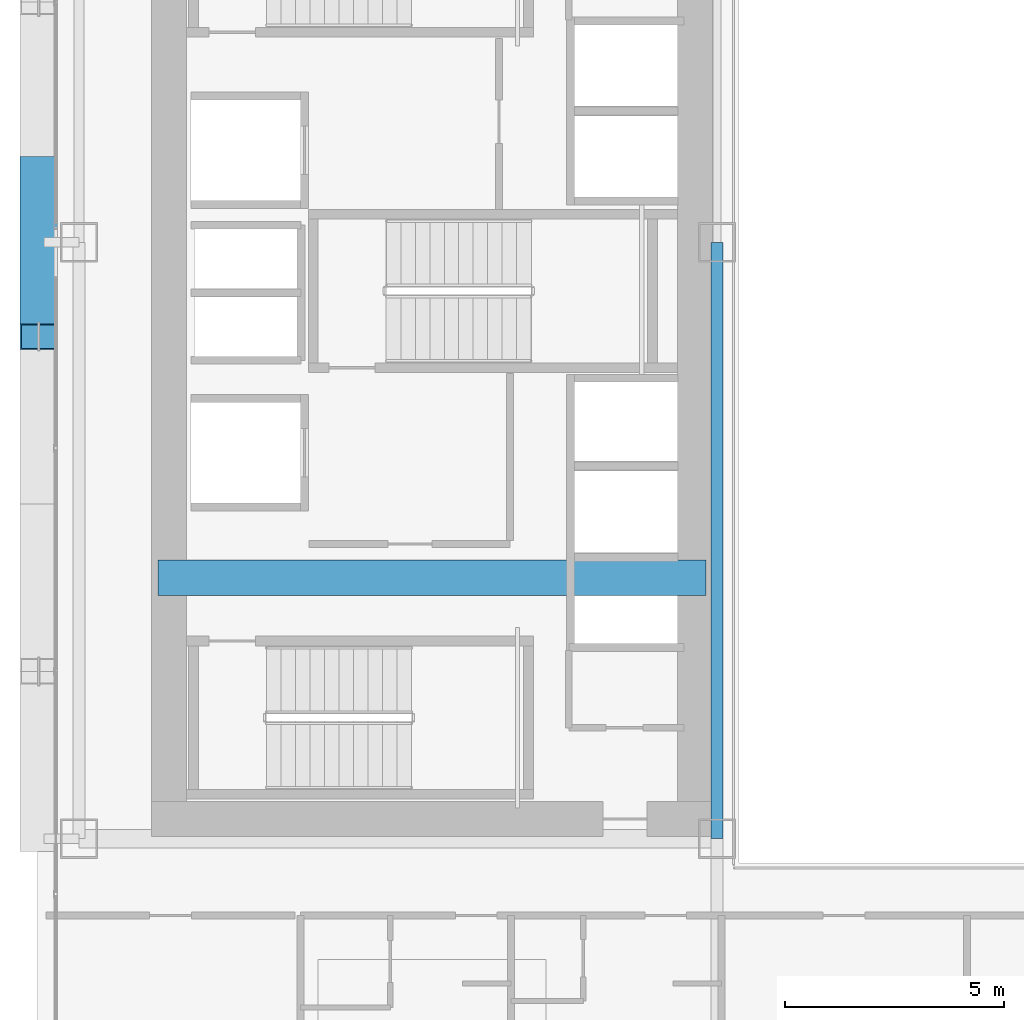
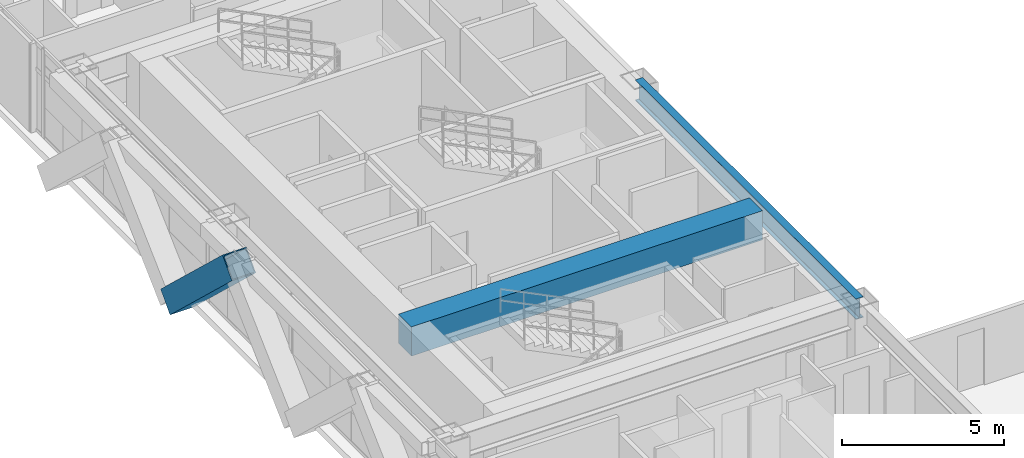
# One storey, part 7 of 35: 2 beams, 1 member.
"""IFC4 building model written with IfcOpenShell, lengths in metres."""

from ifc_helpers import new_model, si_unit, direction, frame, origin, origin_2d, place, context, subcontext, project, spatial, rectangle, hollow_rectangle, i_section, extrude, source, transform, mapped, material, material_profile, profile_set, type_object, element, save


model = new_model("IFC4")

# Units and contexts
model_context = context("Model", 3, precision=1e-05, world=origin(), true_north=direction((0.0, 1.0)))
body_context = subcontext(model_context, "Body", "Model", "MODEL_VIEW")
ifc_project = project(units=[si_unit("LENGTHUNIT", "METRE"), si_unit("AREAUNIT", "SQUARE_METRE"), si_unit("VOLUMEUNIT", "CUBIC_METRE"), si_unit("PLANEANGLEUNIT", "RADIAN"), si_unit("MASSUNIT", "GRAM", prefix="KILO")], contexts=[model_context])

# Site, building, storey
site_placement = place(None, origin())
site = spatial("IfcSite", under=ifc_project, at=site_placement, CompositionType="ELEMENT")
building_placement = place(site_placement, origin())
building = spatial("IfcBuilding", under=site, at=building_placement, Name="Ocotamira Hotel", CompositionType="ELEMENT")
storey_placement = place(building_placement, frame((0.0, 0.0, 70.800048828125)))
storey = spatial("IfcBuildingStorey", under=building, at=storey_placement, Name="L17", CompositionType="ELEMENT", Elevation=70.800048828125)

# Beams
ifc_material_1 = material(Name="Concrete C60/75", Category="concrete")
ifc_material_profile_1 = material_profile(ifc_material_1, rectangle(XDim=0.800048828125, YDim=1.10009765625, at=origin_2d()), Name="RC800X1100")
ifc_profile_set_1 = profile_set([ifc_material_profile_1], Name="Concrete C60/75")
beam_type_1 = type_object("IfcBeamType", Name="BM-LINK-RC800", PredefinedType="LINTEL", material=ifc_profile_set_1)
shared_shape_1 = source(origin(), body_context, "Body", "SweptSolid", [
    extrude(rectangle(XDim=0.800048828125, YDim=1.10009765625, at=origin_2d()), origin(), (0.0, 0.0, 1.0), 12.5),
])
beam_1_placement = place(storey_placement, frame((10.75, 20.5, 2.800048828125), z_axis=(1.0, 0.0, 0.0), x_axis=(0.0, 1.0, 0.0)))
element("IfcBeam", 1, at=beam_1_placement, inside=storey, type_object=beam_type_1, Name="L17 West Core Coupling Beam", PredefinedType="LINTEL", context=body_context, shape_type="MappedRepresentation", body=[
    mapped(shared_shape_1, transform((0.0, 0.0, 0.0), scale=1.0)),
])
ifc_material_2 = material(Name="Steel ASTM A992 Grade 50", Category="steel")
ifc_material_profile_2 = material_profile(ifc_material_2, i_section(OverallWidth=0.26611328125, OverallDepth=0.779052734375, WebThickness=0.0166015625, FlangeThickness=0.030029296875, FilletRadius=0.01806640625, at=origin_2d()), Name="W30X148")
ifc_profile_set_2 = profile_set([ifc_material_profile_2], Name="Steel ASTM A992 Grade 50")
beam_type_2 = type_object("IfcBeamType", Name="BM-GIRD-W30X148", PredefinedType="BEAM", material=ifc_profile_set_2)
shared_shape_2 = source(origin(), body_context, "Body", "SweptSolid", [
    extrude(i_section(OverallWidth=0.26611328125, OverallDepth=0.779052734375, WebThickness=0.0166015625, FlangeThickness=0.030029296875, FilletRadius=0.01806640625, at=origin_2d()), origin(), (0.0, 0.0, 1.0), 13.599853515625),
])
beam_2_placement = place(storey_placement, frame((23.5, 14.550048828125, 2.96044921875), z_axis=(0.0, 1.0, 0.0), x_axis=(-1.0, 0.0, 0.0)))
element("IfcBeam", 2, at=beam_2_placement, inside=storey, type_object=beam_type_2, Name="L17 Beam X23.5 Y14.55-28.15", PredefinedType="BEAM", context=body_context, shape_type="MappedRepresentation", body=[
    mapped(shared_shape_2, transform((0.0, 0.0, 0.0), scale=1.0)),
])

# Member
ifc_material_3 = material(Name="Pale-metal coated steel ASTM A913 Grade 65", Category="steel")
ifc_material_profile_3 = material_profile(ifc_material_3, hollow_rectangle(XDim=0.85009765625, YDim=0.85009765625, WallThickness=0.035888671875, at=origin_2d()), Name="BOX850X850X36")
ifc_profile_set_3 = profile_set([ifc_material_profile_3], Name="Pale-metal coated steel ASTM A913 Grade 65")
member_type = type_object("IfcMemberType", Name="MEM-EXO-BOX850", PredefinedType="BRACE", material=ifc_profile_set_3)
shared_shape_3 = source(origin(), body_context, "Body", "SweptSolid", [
    extrude(hollow_rectangle(XDim=0.85009765625, YDim=0.85009765625, WallThickness=0.035888671875, at=origin_2d()), origin(), (0.0, 0.0, 1.0), 5.24658203125),
])
member_placement = place(storey_placement, frame((8.030029296875, 29.816650390625, -0.5), z_axis=(0.0, -0.72746596067, 0.686143772154), x_axis=(1.0, 0.0, 0.0)))
element("IfcMember", 3, at=member_placement, inside=storey, type_object=member_type, Name="L17 Exoskeleton Diagrid W1.2", PredefinedType="BRACE", context=body_context, shape_type="MappedRepresentation", body=[
    mapped(shared_shape_3, transform((0.0, 0.0, 0.0), scale=1.0)),
])

save(model, "model.ifc")
